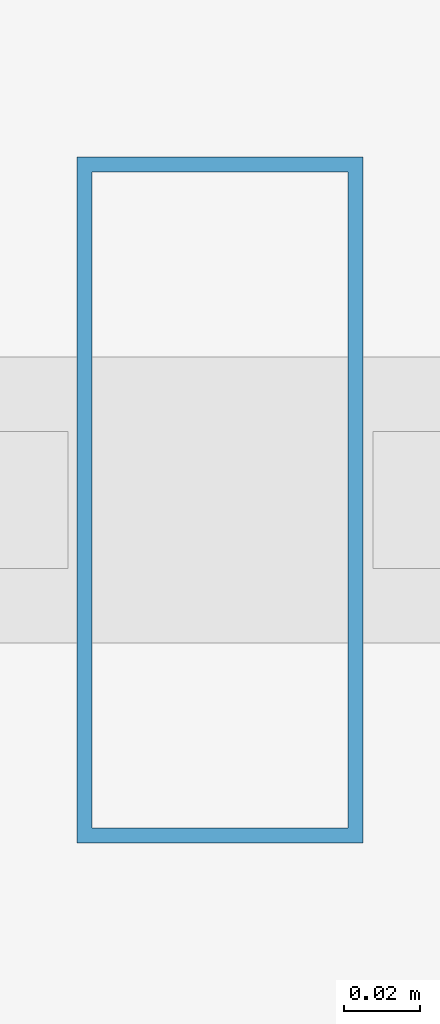
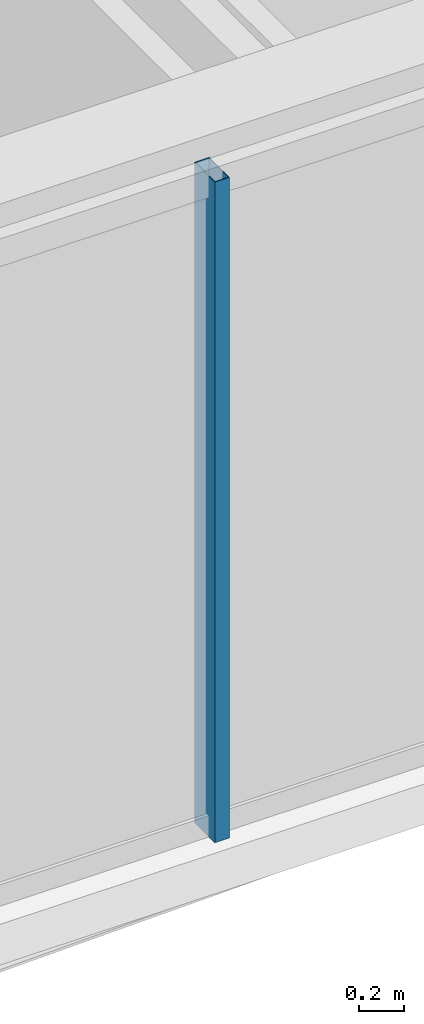
# One storey, part 9 of 31: 1 member, 1 element without a shape of its own.
"""IFC4 building model written with IfcOpenShell, lengths in metres."""

import ifcopenshell
import ifcopenshell.guid

model = None  # the IFC model being written
_history = None  # IfcOwnerHistory: only IFC2X3 demands one
_inside = {}  # id of a spatial element -> (the spatial element, [elements in it])
_under = {}  # id of a project, library or spatial element -> (it, [spatial elements below it])
_declared = {}  # id of a project -> (the project, [libraries it declares])
_typed = {}  # id of a type object -> (the type object, [elements of that type])
_made_of = {}  # id of a material, layer set ... -> (it, [elements and type objects made of it])


def new_model(schema):
    """Start an empty IFC model of exactly this schema.

    Asked for "IFC4X3", IfcOpenShell would pick the latest addendum, in which some entities
    have other attributes; the version numbers below select the first issue.
    IFC2X3 requires an IfcOwnerHistory on every rooted entity: one is made here for all.
    """
    global model, _history
    if schema == "IFC4X3":
        model = ifcopenshell.file(schema_version=(4, 3, 0, 0))
    else:
        model = ifcopenshell.file(schema=schema)
    _inside.clear()
    _under.clear()
    _declared.clear()
    _typed.clear()
    _made_of.clear()
    _history = None
    if model.schema == "IFC2X3":
        org = make("IfcOrganization", Name="unknown")
        user = make(
            "IfcPersonAndOrganization",
            ThePerson=make("IfcPerson", FamilyName="unknown"),
            TheOrganization=org,
        )
        app = make(
            "IfcApplication",
            ApplicationDeveloper=org,
            Version="unknown",
            ApplicationFullName="unknown",
            ApplicationIdentifier="unknown",
        )
        _history = make(
            "IfcOwnerHistory",
            OwningUser=user,
            OwningApplication=app,
            ChangeAction="ADDED",
            CreationDate=0,
        )
    return model


def make(cls, **values):
    """One entity of the class cls with the attributes given. An attribute that is None is left unset."""
    return model.create_entity(
        cls, **{name: value for name, value in values.items() if value is not None}
    )


def rooted(cls, **values):
    """An entity with a GlobalId (a new one), such as an element, a storey or a relation."""
    return make(cls, GlobalId=ifcopenshell.guid.new(), OwnerHistory=_history, **values)


def si_unit(unit_type, name, prefix=None):
    """IfcSIUnit, for example si_unit("LENGTHUNIT", "METRE", prefix="MILLI")."""
    return make("IfcSIUnit", UnitType=unit_type, Prefix=prefix, Name=name)


def assignment(units):
    """IfcUnitAssignment: the units of a project."""
    return None if units is None else make("IfcUnitAssignment", Units=units)


def point(xyz):
    """IfcCartesianPoint."""
    return None if xyz is None else make("IfcCartesianPoint", Coordinates=xyz)


def direction(xyz):
    """IfcDirection."""
    return None if xyz is None else make("IfcDirection", DirectionRatios=xyz)


def frame(location, z_axis=None, x_axis=None):
    """IfcAxis2Placement3D, a coordinate frame: its origin and axes. An axis left out is left unset."""
    return make(
        "IfcAxis2Placement3D",
        Location=point(location),
        Axis=direction(z_axis),
        RefDirection=direction(x_axis),
    )


def frame_2d(location, x_axis=None):
    """IfcAxis2Placement2D, a coordinate frame in the plane: its origin and x axis."""
    return make(
        "IfcAxis2Placement2D", Location=point(location), RefDirection=direction(x_axis)
    )


def origin():
    """The frame at (0, 0, 0) with its axes left unset."""
    return frame((0.0, 0.0, 0.0))


def origin_2d():
    """The frame at (0, 0) in the plane with its x axis left unset."""
    return frame_2d((0.0, 0.0))


def place(relative_to, where):
    """IfcLocalPlacement: puts the frame where relative to a parent placement (None: the world)."""
    return make(
        "IfcLocalPlacement", PlacementRelTo=relative_to, RelativePlacement=where
    )


def context(
    kind, dimensions, precision=None, world=None, true_north=None, identifier=None
):
    """IfcGeometricRepresentationContext, for example the 3D "Model" context."""
    return make(
        "IfcGeometricRepresentationContext",
        ContextIdentifier=identifier,
        ContextType=kind,
        CoordinateSpaceDimension=dimensions,
        Precision=precision,
        WorldCoordinateSystem=world,
        TrueNorth=true_north,
    )


def subcontext(parent, identifier, kind, view, scale=None):
    """IfcGeometricRepresentationSubContext, for example "Body" below "Model"."""
    return make(
        "IfcGeometricRepresentationSubContext",
        ContextIdentifier=identifier,
        ContextType=kind,
        ParentContext=parent,
        TargetScale=scale,
        TargetView=view,
    )


def project(units=None, contexts=None):
    """IfcProject with its units and contexts."""
    return rooted(
        "IfcProject",
        Name="project",
        RepresentationContexts=contexts,
        UnitsInContext=assignment(units),
    )


def spatial(cls, under=None, at=None, **own):
    """A site, building, storey or space (cls), placed at a placement, below another one or the project."""
    s = rooted(cls, ObjectPlacement=at, **own)
    if under is not None:
        _under.setdefault(under.id(), (under, []))[1].append(s)
    return s


def profile(cls, at=None, kind="AREA", **sizes):
    """A parametric profile (cls). Its sizes go by their IFC names, for example OverallWidth=200.0."""
    return make(cls, ProfileType=kind, Position=at, **sizes)


def hollow_rectangle(**sizes):
    """IfcRectangleHollowProfileDef."""
    return profile("IfcRectangleHollowProfileDef", **sizes)


def extrude(swept, where, along, depth):
    """IfcExtrudedAreaSolid: the profile swept, set in the frame where, extruded along a direction by depth."""
    return make(
        "IfcExtrudedAreaSolid",
        SweptArea=swept,
        Position=where,
        ExtrudedDirection=direction(along),
        Depth=depth,
    )


def shape(context_of_items, identifier, shape_type, items):
    """IfcShapeRepresentation: the items that make up one representation, for example the "Body"."""
    return make(
        "IfcShapeRepresentation",
        ContextOfItems=context_of_items,
        RepresentationIdentifier=identifier,
        RepresentationType=shape_type,
        Items=items,
    )


def material(Name=None, Category=None):
    """IfcMaterial."""
    return make("IfcMaterial", Name=Name, Category=Category)


def layer(
    of_material, thickness, ventilated=None, Name=None, Category=None, Priority=None
):
    """IfcMaterialLayer: one layer of a wall or slab, of a material (None: an air gap)."""
    return make(
        "IfcMaterialLayer",
        Material=of_material,
        LayerThickness=thickness,
        IsVentilated=ventilated,
        Name=Name,
        Category=Category,
        Priority=Priority,
    )


def layer_set(layers, Name=None):
    """IfcMaterialLayerSet."""
    return make("IfcMaterialLayerSet", MaterialLayers=layers, LayerSetName=Name)


def material_profile(
    of_material, cross_section, Name=None, Category=None, Priority=None
):
    """IfcMaterialProfile: a cross section and its material."""
    return make(
        "IfcMaterialProfile",
        Name=Name,
        Material=of_material,
        Profile=cross_section,
        Priority=Priority,
        Category=Category,
    )


def profile_set(profiles, Name=None, composite=None):
    """IfcMaterialProfileSet."""
    return make(
        "IfcMaterialProfileSet",
        Name=Name,
        MaterialProfiles=profiles,
        CompositeProfile=composite,
    )


def made_of(thing, what):
    """Note that an element or type object is made of a material, layer set ...; save() writes the relation."""
    if what is not None:
        _made_of.setdefault(what.id(), (what, []))[1].append(thing)
    return thing


def type_object(cls, material=None, **own):
    """A type object (cls), such as IfcWallType, which elements share."""
    return made_of(rooted(cls, **own), material)


def element(
    cls,
    number,
    at=None,
    inside=None,
    cuts=None,
    type_object=None,
    material=None,
    context=None,
    identifier="Body",
    shape_type=None,
    held_by="IfcProductDefinitionShape",
    body=None,
    shapes=None,
    **own,
):
    """One element of the class cls, such as IfcWall. Its Tag is "e" and its number.

    at: its placement. inside: the storey or other place that contains it. cuts: it is an
    opening in that element (IfcRelVoidsElement). A single representation is given by context,
    identifier, shape_type and body (its items); several are given by shapes. held_by: the class
    of the entity that holds the representations. save() writes the other relations.
    """
    e = rooted(cls, Tag="e%d" % number, ObjectPlacement=at, **own)
    if body is not None:
        shapes = [shape(context, identifier, shape_type, body)]
    if shapes is not None:
        e.Representation = make(held_by, Representations=shapes)
    if inside is not None:
        _inside.setdefault(inside.id(), (inside, []))[1].append(e)
    if cuts is not None:
        rooted(
            "IfcRelVoidsElement", RelatingBuildingElement=cuts, RelatedOpeningElement=e
        )
    if type_object is not None:
        _typed.setdefault(type_object.id(), (type_object, []))[1].append(e)
    return made_of(e, material)


def aggregate(whole, parts):
    """IfcRelAggregates: a whole, such as a stair, and the parts it consists of."""
    return rooted("IfcRelAggregates", RelatingObject=whole, RelatedObjects=parts)


def save(model, path):
    """Write the relations noted so far, then the file.

    IfcRelAggregates (storeys below a building ...), IfcRelContainedInSpatialStructure (elements
    in a storey), IfcRelDefinesByType, IfcRelAssociatesMaterial and IfcRelDeclares: one each for
    every whole, place, type object, material and project.
    """
    for whole, parts in _under.values():
        aggregate(whole, parts)
    for where, things in _inside.values():
        rooted(
            "IfcRelContainedInSpatialStructure",
            RelatedElements=things,
            RelatingStructure=where,
        )
    for kind, things in _typed.values():
        rooted("IfcRelDefinesByType", RelatedObjects=things, RelatingType=kind)
    for what, things in _made_of.values():
        rooted("IfcRelAssociatesMaterial", RelatedObjects=things, RelatingMaterial=what)
    for by, libraries in _declared.values():
        rooted("IfcRelDeclares", RelatingContext=by, RelatedDefinitions=libraries)
    model.write(path)


model = new_model("IFC4")

# Units and contexts
model_context = context("Model", 3, precision=1e-05, world=origin(), true_north=direction((0.0, 1.0)))
body_context = subcontext(model_context, "Body", "Model", "MODEL_VIEW")
ifc_project = project(units=[si_unit("LENGTHUNIT", "METRE"), si_unit("AREAUNIT", "SQUARE_METRE"), si_unit("VOLUMEUNIT", "CUBIC_METRE"), si_unit("PLANEANGLEUNIT", "RADIAN"), si_unit("MASSUNIT", "GRAM", prefix="KILO")], contexts=[model_context])

# Site, building, storey
site_placement = place(None, origin())
site = spatial("IfcSite", under=ifc_project, at=site_placement, CompositionType="ELEMENT")
building_placement = place(site_placement, origin())
building = spatial("IfcBuilding", under=site, at=building_placement, Name="Ndaravel Arena Tower", CompositionType="ELEMENT")
storey_placement = place(building_placement, frame((0.0, 0.0, 146.0)))
storey = spatial("IfcBuildingStorey", under=building, at=storey_placement, Name="L34", CompositionType="ELEMENT", Elevation=146.0)

# Curtain wall, member
ifc_material_1 = material(Name="Aluminium", Category="aluminium")
ifc_layer = layer(ifc_material_1, 0.179931640625)
ifc_layer_set = layer_set([ifc_layer], Name="Aluminium")
curtain_wall_type = type_object("IfcCurtainWallType", Name="CW-SYS-03", PredefinedType="NOTDEFINED", material=ifc_layer_set)
curtain_wall_placement = place(storey_placement, origin())
curtain_wall = element("IfcCurtainWall", 1, at=curtain_wall_placement, inside=storey, type_object=curtain_wall_type, Name="L34 Faceted Crystal Curtain Wall CW-L34-E01", PredefinedType="NOTDEFINED")
ifc_material_2 = material(Name="Aluminium", Category="aluminium")
ifc_material_profile = material_profile(ifc_material_2, hollow_rectangle(XDim=0.074951171875, YDim=0.179931640625, WallThickness=0.00390625, at=origin_2d()), Name="CW MULLION 75x180x4")
ifc_profile_set = profile_set([ifc_material_profile], Name="Aluminium")
member_type = type_object("IfcMemberType", Name="MEM-CW-MUL180", PredefinedType="MULLION", material=ifc_profile_set)
member_placement = place(storey_placement, frame((46.43994140625, 5.159912109375, 0.0), z_axis=(0.0, 0.0, 1.0), x_axis=(1.0, 0.0, 0.0)))
member = element("IfcMember", 2, at=member_placement, type_object=member_type, Name="CW-L34-E01 Mullion 05", PredefinedType="MULLION", context=body_context, shape_type="SweptSolid", body=[
    extrude(hollow_rectangle(XDim=0.074951171875, YDim=0.179931640625, WallThickness=0.00390625, at=origin_2d()), origin(), (0.0, 0.0, 1.0), 3.580078125),
])
aggregate(curtain_wall, [member])

save(model, "model.ifc")
